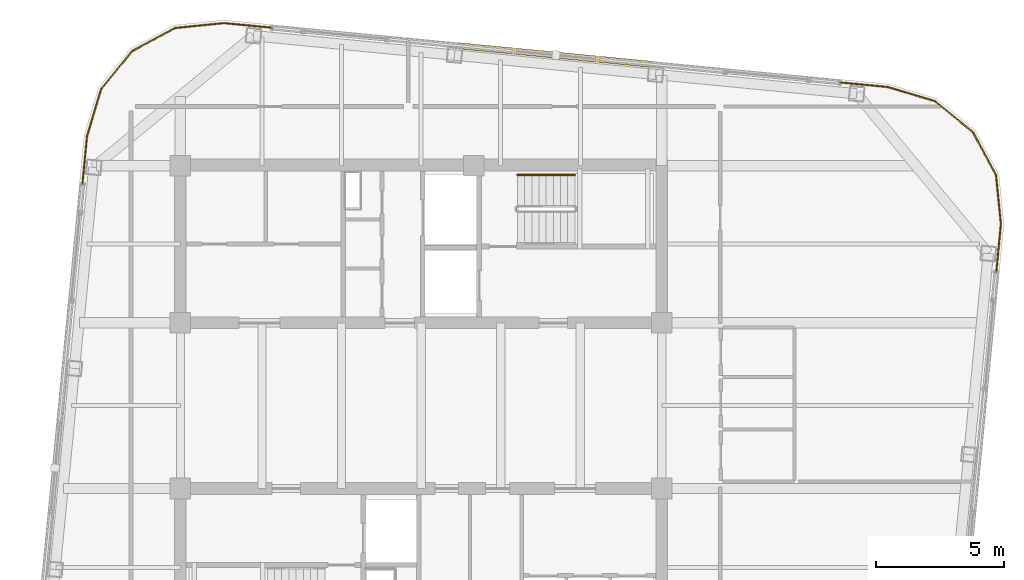
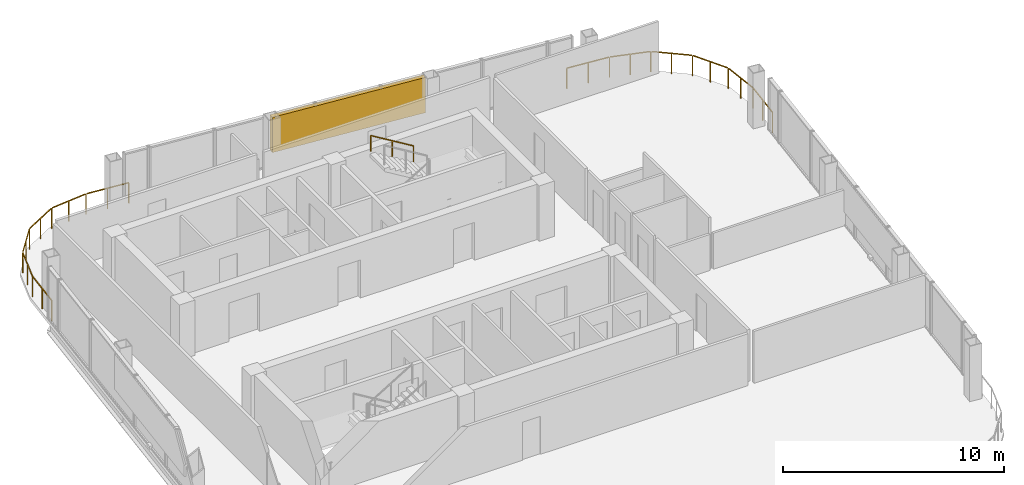
# One storey, part 22 of 22: 3 railings, 1 shading device.
"""IFC4 building model written with IfcOpenShell, lengths in metres."""

from ifc_helpers import new_model, si_unit, direction, frame, origin, origin_2d, place, context, subcontext, project, spatial, rectangle, extrude, material, type_object, element, save


model = new_model("IFC4")

# Units and contexts
model_context = context("Model", 3, precision=1e-05, world=origin(), true_north=direction((0.0, 1.0)))
body_context = subcontext(model_context, "Body", "Model", "MODEL_VIEW")
ifc_project = project(units=[si_unit("LENGTHUNIT", "METRE"), si_unit("AREAUNIT", "SQUARE_METRE"), si_unit("VOLUMEUNIT", "CUBIC_METRE"), si_unit("PLANEANGLEUNIT", "RADIAN"), si_unit("MASSUNIT", "GRAM", prefix="KILO")], contexts=[model_context])

# Site, building, storey
site_placement = place(None, origin())
site = spatial("IfcSite", under=ifc_project, at=site_placement, CompositionType="ELEMENT")
building_placement = place(site_placement, origin())
building = spatial("IfcBuilding", under=site, at=building_placement, Name="Qhalaya Broadcast Tower", CompositionType="ELEMENT")
storey_placement = place(building_placement, frame((0.0, 0.0, 245.89990234375)))
storey = spatial("IfcBuildingStorey", under=building, at=storey_placement, Name="L72", CompositionType="ELEMENT", Elevation=245.89990234375)

# Railings
ifc_material_1 = material(Name="Powder-Coated Galvanised Steel", Category="steel")
railing_type_1 = type_object("IfcRailingType", Name="Stair Wall Handrail 900", PredefinedType="HANDRAIL", material=ifc_material_1)
railing_1_placement = place(storey_placement, frame((5.989990234375, 9.590087890625, 1.694580078125)))
element("IfcRailing", 1, at=railing_1_placement, inside=storey, type_object=railing_type_1, Name="L72 ST-1 Stair Handrail 2", PredefinedType="HANDRAIL", context=body_context, shape_type="SweptSolid", body=[
    extrude(rectangle(XDim=0.048095703125, YDim=0.048095703125, at=origin_2d()), frame((0.0, 0.0, 0.8759765625), z_axis=(-0.855553338991, 0.0, 0.51771467445), x_axis=(0.0, -1.0, 0.0)), (0.0, 0.0, 1.0), 2.6181640625),
    extrude(rectangle(XDim=0.0419921875, YDim=0.0419921875, at=origin_2d()), origin(), (0.0, 0.0, 1.0), 0.849853515625),
    extrude(rectangle(XDim=0.0419921875, YDim=0.0419921875, at=origin_2d()), frame((-1.1201171875, 0.0, 0.677734375)), (0.0, 0.0, 1.0), 0.849853515625),
    extrude(rectangle(XDim=0.0419921875, YDim=0.0419921875, at=origin_2d()), frame((-2.239990234375, 0.0, 1.35546875)), (0.0, 0.0, 1.0), 0.849853515625),
])
railing_type_2 = type_object("IfcRailingType", Name="Terrace, Sky-Pool & Lookout Glass Balustrade 1150", PredefinedType="BALUSTRADE", material=ifc_material_1)
railing_2_placement = place(storey_placement, frame((-13.2158203125, 8.99365234375, 0.0)))
element("IfcRailing", 2, at=railing_2_placement, inside=storey, type_object=railing_type_2, Name="L72 Rounded Corner Perimeter Guard 03", PredefinedType="BALUSTRADE", context=body_context, shape_type="SweptSolid", body=[
    extrude(rectangle(XDim=0.048095703125, YDim=0.048095703125, at=origin_2d()), frame((0.0, 0.0, 1.1259765625), z_axis=(0.095896889673, 0.995391273094, 0.0), x_axis=(-0.995391273094, 0.095896889673, 0.0)), (0.0, 0.0, 1.0), 2.08935546875),
    extrude(rectangle(XDim=0.048095703125, YDim=0.048095703125, at=origin_2d()), frame((0.21142578125, 2.135986328125, 1.1259765625), z_axis=(0.288096282124, 0.957601447485, 0.0), x_axis=(-0.957601447485, 0.288096282124, 0.0)), (0.0, 0.0, 1.0), 1.857421875),
    extrude(rectangle(XDim=0.048095703125, YDim=0.048095703125, at=origin_2d()), frame((0.773193359375, 3.96484375, 1.1259765625), z_axis=(0.63274871945, 0.774357190213, 0.0), x_axis=(-0.774357190213, 0.63274871945, 0.0)), (0.0, 0.0, 1.0), 1.845703125),
    extrude(rectangle(XDim=0.048095703125, YDim=0.048095703125, at=origin_2d()), frame((1.984619140625, 5.429931640625, 1.1259765625), z_axis=(0.880878554058, 0.473342342286, 0.0), x_axis=(-0.473342342286, 0.880878554058, 0.0)), (0.0, 0.0, 1.0), 1.845458984375),
    extrude(rectangle(XDim=0.048095703125, YDim=0.048095703125, at=origin_2d()), frame((3.66455078125, 6.320068359375, 1.1259765625), z_axis=(0.994980230152, 0.100071682341, 0.0), x_axis=(-0.100071682341, 0.994980230152, 0.0)), (0.0, 0.0, 1.0), 1.857421875),
    extrude(rectangle(XDim=0.048095703125, YDim=0.048095703125, at=origin_2d()), frame((5.570068359375, 6.506103515625, 1.1259765625), z_axis=(0.995402268864, -0.095782687057, 0.0), x_axis=(0.095782687057, 0.995402268864, 0.0)), (0.0, 0.0, 1.0), 2.08935546875),
    extrude(rectangle(XDim=0.0419921875, YDim=0.0419921875, at=origin_2d()), origin(), (0.0, 0.0, 1.0), 1.099853515625),
    extrude(rectangle(XDim=0.0419921875, YDim=0.0419921875, at=origin_2d()), frame((0.1015625, 1.05419921875, 0.0)), (0.0, 0.0, 1.0), 1.099853515625),
    extrude(rectangle(XDim=0.0419921875, YDim=0.0419921875, at=origin_2d()), frame((0.203125, 2.1083984375, 0.0)), (0.0, 0.0, 1.0), 1.099853515625),
    extrude(rectangle(XDim=0.0419921875, YDim=0.0419921875, at=origin_2d()), frame((0.47900390625, 3.025390625, 0.0)), (0.0, 0.0, 1.0), 1.099853515625),
    extrude(rectangle(XDim=0.0419921875, YDim=0.0419921875, at=origin_2d()), frame((0.7548828125, 3.9423828125, 0.0)), (0.0, 0.0, 1.0), 1.099853515625),
    extrude(rectangle(XDim=0.0419921875, YDim=0.0419921875, at=origin_2d()), frame((1.35693359375, 4.67919921875, 0.0)), (0.0, 0.0, 1.0), 1.099853515625),
    extrude(rectangle(XDim=0.0419921875, YDim=0.0419921875, at=origin_2d()), frame((1.959228515625, 5.416259765625, 0.0)), (0.0, 0.0, 1.0), 1.099853515625),
    extrude(rectangle(XDim=0.0419921875, YDim=0.0419921875, at=origin_2d()), frame((2.79736328125, 5.86669921875, 0.0)), (0.0, 0.0, 1.0), 1.099853515625),
    extrude(rectangle(XDim=0.0419921875, YDim=0.0419921875, at=origin_2d()), frame((3.6357421875, 6.317138671875, 0.0)), (0.0, 0.0, 1.0), 1.099853515625),
    extrude(rectangle(XDim=0.0419921875, YDim=0.0419921875, at=origin_2d()), frame((4.58837890625, 6.4130859375, 0.0)), (0.0, 0.0, 1.0), 1.099853515625),
    extrude(rectangle(XDim=0.0419921875, YDim=0.0419921875, at=origin_2d()), frame((5.541259765625, 6.5087890625, 0.0)), (0.0, 0.0, 1.0), 1.099853515625),
    extrude(rectangle(XDim=0.0419921875, YDim=0.0419921875, at=origin_2d()), frame((6.595458984375, 6.4072265625, 0.0)), (0.0, 0.0, 1.0), 1.099853515625),
    extrude(rectangle(XDim=0.0419921875, YDim=0.0419921875, at=origin_2d()), frame((7.649658203125, 6.305908203125, 0.0)), (0.0, 0.0, 1.0), 1.099853515625),
])
railing_3_placement = place(storey_placement, frame((16.07373046875, 13.2158203125, 0.0)))
element("IfcRailing", 3, at=railing_3_placement, inside=storey, type_object=railing_type_2, Name="L72 Rounded Corner Perimeter Guard 04", PredefinedType="BALUSTRADE", context=body_context, shape_type="SweptSolid", body=[
    extrude(rectangle(XDim=0.048095703125, YDim=0.048095703125, at=origin_2d()), frame((0.0, 0.0, 1.1259765625), z_axis=(0.995391273094, -0.095896889673, 0.0), x_axis=(0.095896889673, 0.995391273094, 0.0)), (0.0, 0.0, 1.0), 2.08935546875),
    extrude(rectangle(XDim=0.048095703125, YDim=0.048095703125, at=origin_2d()), frame((2.135986328125, -0.21142578125, 1.1259765625), z_axis=(0.957601447485, -0.288096282124, 0.0), x_axis=(0.288096282124, 0.957601447485, 0.0)), (0.0, 0.0, 1.0), 1.857421875),
    extrude(rectangle(XDim=0.048095703125, YDim=0.048095703125, at=origin_2d()), frame((3.96484375, -0.773193359375, 1.1259765625), z_axis=(0.774357190213, -0.63274871945, 0.0), x_axis=(0.63274871945, 0.774357190213, 0.0)), (0.0, 0.0, 1.0), 1.845703125),
    extrude(rectangle(XDim=0.048095703125, YDim=0.048095703125, at=origin_2d()), frame((5.429931640625, -1.984619140625, 1.1259765625), z_axis=(0.473242797018, -0.880932037714, 0.0), x_axis=(0.880932037714, 0.473242797018, 0.0)), (0.0, 0.0, 1.0), 1.845458984375),
    extrude(rectangle(XDim=0.048095703125, YDim=0.048095703125, at=origin_2d()), frame((6.31982421875, -3.66455078125, 1.1259765625), z_axis=(0.100197883148, -0.994967529225, 0.0), x_axis=(0.994967529225, 0.100197883148, 0.0)), (0.0, 0.0, 1.0), 1.857421875),
    extrude(rectangle(XDim=0.048095703125, YDim=0.048095703125, at=origin_2d()), frame((6.506103515625, -5.570068359375, 1.1259765625), z_axis=(-0.095896889673, -0.995391273094, 0.0), x_axis=(0.995391273094, -0.095896889673, 0.0)), (0.0, 0.0, 1.0), 2.08935546875),
    extrude(rectangle(XDim=0.0419921875, YDim=0.0419921875, at=origin_2d()), origin(), (0.0, 0.0, 1.0), 1.099853515625),
    extrude(rectangle(XDim=0.0419921875, YDim=0.0419921875, at=origin_2d()), frame((1.05419921875, -0.1015625, 0.0)), (0.0, 0.0, 1.0), 1.099853515625),
    extrude(rectangle(XDim=0.0419921875, YDim=0.0419921875, at=origin_2d()), frame((2.1083984375, -0.203125, 0.0)), (0.0, 0.0, 1.0), 1.099853515625),
    extrude(rectangle(XDim=0.0419921875, YDim=0.0419921875, at=origin_2d()), frame((3.025390625, -0.47900390625, 0.0)), (0.0, 0.0, 1.0), 1.099853515625),
    extrude(rectangle(XDim=0.0419921875, YDim=0.0419921875, at=origin_2d()), frame((3.9423828125, -0.7548828125, 0.0)), (0.0, 0.0, 1.0), 1.099853515625),
    extrude(rectangle(XDim=0.0419921875, YDim=0.0419921875, at=origin_2d()), frame((4.67919921875, -1.35693359375, 0.0)), (0.0, 0.0, 1.0), 1.099853515625),
    extrude(rectangle(XDim=0.0419921875, YDim=0.0419921875, at=origin_2d()), frame((5.416259765625, -1.959228515625, 0.0)), (0.0, 0.0, 1.0), 1.099853515625),
    extrude(rectangle(XDim=0.0419921875, YDim=0.0419921875, at=origin_2d()), frame((5.86669921875, -2.79736328125, 0.0)), (0.0, 0.0, 1.0), 1.099853515625),
    extrude(rectangle(XDim=0.0419921875, YDim=0.0419921875, at=origin_2d()), frame((6.31689453125, -3.6357421875, 0.0)), (0.0, 0.0, 1.0), 1.099853515625),
    extrude(rectangle(XDim=0.0419921875, YDim=0.0419921875, at=origin_2d()), frame((6.412841796875, -4.58837890625, 0.0)), (0.0, 0.0, 1.0), 1.099853515625),
    extrude(rectangle(XDim=0.0419921875, YDim=0.0419921875, at=origin_2d()), frame((6.5087890625, -5.541259765625, 0.0)), (0.0, 0.0, 1.0), 1.099853515625),
    extrude(rectangle(XDim=0.0419921875, YDim=0.0419921875, at=origin_2d()), frame((6.4072265625, -6.595458984375, 0.0)), (0.0, 0.0, 1.0), 1.099853515625),
    extrude(rectangle(XDim=0.0419921875, YDim=0.0419921875, at=origin_2d()), frame((6.3056640625, -7.649658203125, 0.0)), (0.0, 0.0, 1.0), 1.099853515625),
])

# Shading device
ifc_material_2 = material(Name="Fired Architectural Terracotta", Category="masonry")
shading_device_type = type_object("IfcShadingDeviceType", Name="Terracotta Baguette Solar Screen Assembly TBS-01", PredefinedType="USERDEFINED", material=ifc_material_2)
shading_device_placement = place(storey_placement, frame((5.25390625, 14.2578125, 0.80078125), z_axis=(0.0, 0.0, 1.0), x_axis=(-0.995396198367, 0.09584575252, 0.0)))
element("IfcShadingDevice", 4, at=shading_device_placement, inside=storey, type_object=shading_device_type, Name="L72 Fired Terracotta Baguette Screen N", ObjectType="BAGUETTE", PredefinedType="USERDEFINED", context=body_context, shape_type="SweptSolid", body=[
    extrude(rectangle(XDim=7.60009765625, YDim=0.239990234375, at=origin_2d()), origin(), (0.0, 0.0, 1.0), 1.945068359375),
])

save(model, "model.ifc")
